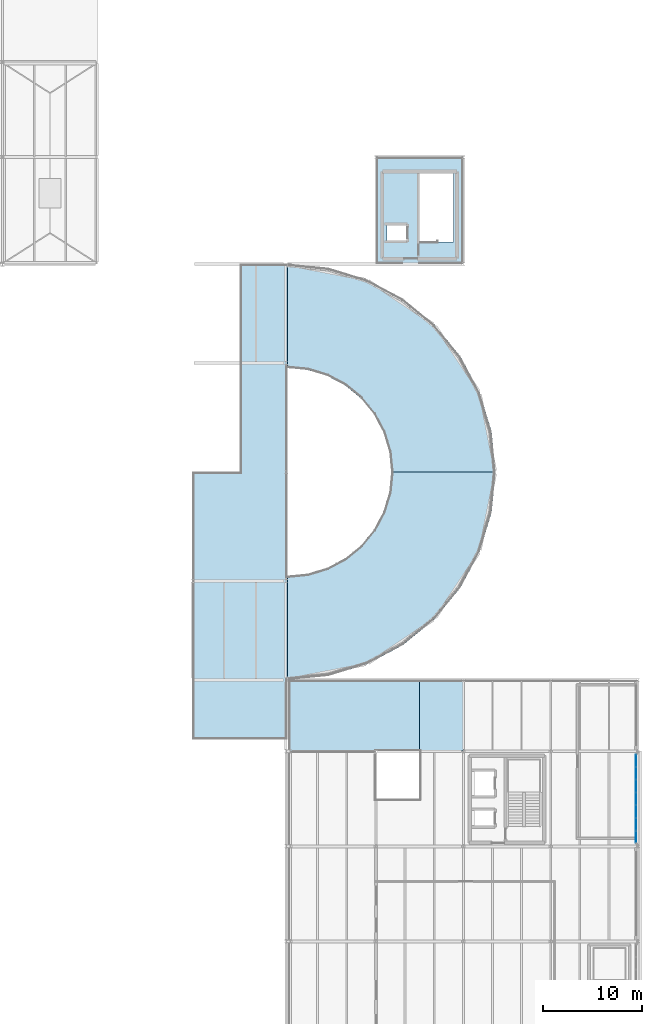
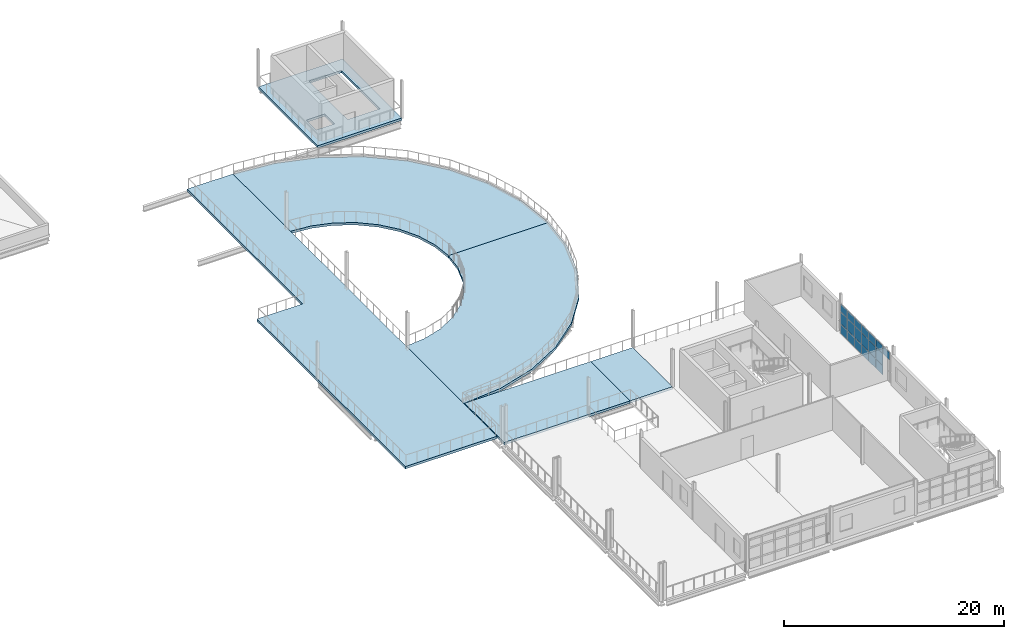
# One storey, part 39 of 58: 19 plates, 6 slabs, 1 element without a shape of its own.
"""IFC4 building model written with IfcOpenShell, lengths in metres."""

from ifc_helpers import new_model, si_unit, direction, frame, origin, origin_2d, place, context, subcontext, project, spatial, polyline, rectangle, outline, extrude, material, layer, layer_set, type_object, element, aggregate, save


model = new_model("IFC4")

# Units and contexts
model_context = context("Model", 3, precision=1e-05, world=origin(), true_north=direction((0.0, 1.0)))
body_context = subcontext(model_context, "Body", "Model", "MODEL_VIEW")
ifc_project = project(units=[si_unit("LENGTHUNIT", "METRE"), si_unit("AREAUNIT", "SQUARE_METRE"), si_unit("VOLUMEUNIT", "CUBIC_METRE"), si_unit("PLANEANGLEUNIT", "RADIAN"), si_unit("MASSUNIT", "GRAM", prefix="KILO")], contexts=[model_context])

# Site, building, storey
site_placement = place(None, origin())
site = spatial("IfcSite", under=ifc_project, at=site_placement, CompositionType="ELEMENT")
building_placement = place(site_placement, origin())
building = spatial("IfcBuilding", under=site, at=building_placement, Name="Yeouljin Market Hall", CompositionType="ELEMENT")
storey_placement = place(building_placement, frame((0.0, 0.0, 10.800048828125)))
storey = spatial("IfcBuildingStorey", under=building, at=storey_placement, Name="L02", CompositionType="ELEMENT", Elevation=10.800048828125)

# Curtain wall, plates
ifc_material_1 = material(Name="Thermally Broken Aluminium", Category="aluminium")
ifc_layer_1 = layer(ifc_material_1, 0.14990234375)
ifc_layer_set_1 = layer_set([ifc_layer_1], Name="Thermally Broken Aluminium")
curtain_wall_type = type_object("IfcCurtainWallType", Name="CW_AcademyRibbon_System", PredefinedType="USERDEFINED", material=ifc_layer_set_1)
curtain_wall_placement = place(storey_placement, origin())
curtain_wall = element("IfcCurtainWall", 1, at=curtain_wall_placement, inside=storey, type_object=curtain_wall_type, Name="Curtain wall CW-L02-W12", ObjectType="CURTAIN WALL", PredefinedType="USERDEFINED")
ifc_material_2 = material(Name="Anodised Bronze Spandrel Panel")
ifc_layer_2 = layer(ifc_material_2, 0.0439453125)
ifc_layer_set_2 = layer_set([ifc_layer_2], Name="Anodised Bronze Spandrel Panel")
plate_type = type_object("IfcPlateType", Name="CWPanel_BronzeSpandrel_44", PredefinedType="CURTAIN_PANEL", material=ifc_layer_set_2)
plate_1_placement = place(storey_placement, frame((176.199951171875, 27.84521484375, 0.0478515625), z_axis=(0.0, 0.0, 1.0), x_axis=(0.0, -1.0, 0.0)))
plate_1 = element("IfcPlate", 2, at=plate_1_placement, type_object=plate_type, Name="CW-05 panel 1.1", PredefinedType="CURTAIN_PANEL", context=body_context, shape_type="SweptSolid", body=[
    extrude(rectangle(XDim=1.213623046875, YDim=0.0439453125, at=origin_2d()), origin(), (0.0, 0.0, 1.0), 1.028076171875),
])
plate_2_placement = place(storey_placement, frame((176.199951171875, 27.84521484375, 1.1240234375), z_axis=(0.0, 0.0, 1.0), x_axis=(0.0, -1.0, 0.0)))
plate_2 = element("IfcPlate", 3, at=plate_2_placement, type_object=plate_type, Name="CW-05 panel 1.2", PredefinedType="CURTAIN_PANEL", context=body_context, shape_type="SweptSolid", body=[
    extrude(rectangle(XDim=1.213623046875, YDim=0.0439453125, at=origin_2d()), origin(), (0.0, 0.0, 1.0), 1.302001953125),
])
plate_3_placement = place(storey_placement, frame((176.199951171875, 27.84521484375, 2.47412109375), z_axis=(0.0, 0.0, 1.0), x_axis=(0.0, -1.0, 0.0)))
plate_3 = element("IfcPlate", 4, at=plate_3_placement, type_object=plate_type, Name="CW-05 panel 1.3", PredefinedType="CURTAIN_PANEL", context=body_context, shape_type="SweptSolid", body=[
    extrude(rectangle(XDim=1.213623046875, YDim=0.0439453125, at=origin_2d()), origin(), (0.0, 0.0, 1.0), 0.827880859375),
])
plate_4_placement = place(storey_placement, frame((176.199951171875, 26.571533203125, 0.0478515625), z_axis=(0.0, 0.0, 1.0), x_axis=(0.0, -1.0, 0.0)))
plate_4 = element("IfcPlate", 5, at=plate_4_placement, type_object=plate_type, Name="CW-05 panel 2.1", PredefinedType="CURTAIN_PANEL", context=body_context, shape_type="SweptSolid", body=[
    extrude(rectangle(XDim=1.23779296875, YDim=0.0439453125, at=origin_2d()), origin(), (0.0, 0.0, 1.0), 1.028076171875),
])
plate_5_placement = place(storey_placement, frame((176.199951171875, 26.571533203125, 1.1240234375), z_axis=(0.0, 0.0, 1.0), x_axis=(0.0, -1.0, 0.0)))
plate_5 = element("IfcPlate", 6, at=plate_5_placement, type_object=plate_type, Name="CW-05 panel 2.2", PredefinedType="CURTAIN_PANEL", context=body_context, shape_type="SweptSolid", body=[
    extrude(rectangle(XDim=1.23779296875, YDim=0.0439453125, at=origin_2d()), origin(), (0.0, 0.0, 1.0), 1.302001953125),
])
plate_6_placement = place(storey_placement, frame((176.199951171875, 26.571533203125, 2.47412109375), z_axis=(0.0, 0.0, 1.0), x_axis=(0.0, -1.0, 0.0)))
plate_6 = element("IfcPlate", 7, at=plate_6_placement, type_object=plate_type, Name="CW-05 panel 2.3", PredefinedType="CURTAIN_PANEL", context=body_context, shape_type="SweptSolid", body=[
    extrude(rectangle(XDim=1.23779296875, YDim=0.0439453125, at=origin_2d()), origin(), (0.0, 0.0, 1.0), 0.827880859375),
])
plate_7_placement = place(storey_placement, frame((176.199951171875, 25.28564453125, 0.0478515625), z_axis=(0.0, 0.0, 1.0), x_axis=(0.0, -1.0, 0.0)))
plate_7 = element("IfcPlate", 8, at=plate_7_placement, type_object=plate_type, Name="CW-05 panel 3.1", PredefinedType="CURTAIN_PANEL", context=body_context, shape_type="SweptSolid", body=[
    extrude(rectangle(XDim=1.23779296875, YDim=0.0439453125, at=origin_2d()), origin(), (0.0, 0.0, 1.0), 1.028076171875),
])
plate_8_placement = place(storey_placement, frame((176.199951171875, 25.28564453125, 1.1240234375), z_axis=(0.0, 0.0, 1.0), x_axis=(0.0, -1.0, 0.0)))
plate_8 = element("IfcPlate", 9, at=plate_8_placement, type_object=plate_type, Name="CW-05 panel 3.2", PredefinedType="CURTAIN_PANEL", context=body_context, shape_type="SweptSolid", body=[
    extrude(rectangle(XDim=1.23779296875, YDim=0.0439453125, at=origin_2d()), origin(), (0.0, 0.0, 1.0), 1.302001953125),
])
plate_9_placement = place(storey_placement, frame((176.199951171875, 25.28564453125, 2.47412109375), z_axis=(0.0, 0.0, 1.0), x_axis=(0.0, -1.0, 0.0)))
plate_9 = element("IfcPlate", 10, at=plate_9_placement, type_object=plate_type, Name="CW-05 panel 3.3", PredefinedType="CURTAIN_PANEL", context=body_context, shape_type="SweptSolid", body=[
    extrude(rectangle(XDim=1.23779296875, YDim=0.0439453125, at=origin_2d()), origin(), (0.0, 0.0, 1.0), 0.827880859375),
])
plate_10_placement = place(storey_placement, frame((176.199951171875, 24.0, 0.0478515625), z_axis=(0.0, 0.0, 1.0), x_axis=(0.0, -1.0, 0.0)))
plate_10 = element("IfcPlate", 11, at=plate_10_placement, type_object=plate_type, Name="CW-05 panel 4.1", PredefinedType="CURTAIN_PANEL", context=body_context, shape_type="SweptSolid", body=[
    extrude(rectangle(XDim=1.23779296875, YDim=0.0439453125, at=origin_2d()), origin(), (0.0, 0.0, 1.0), 1.028076171875),
])
plate_11_placement = place(storey_placement, frame((176.199951171875, 24.0, 1.1240234375), z_axis=(0.0, 0.0, 1.0), x_axis=(0.0, -1.0, 0.0)))
plate_11 = element("IfcPlate", 12, at=plate_11_placement, type_object=plate_type, Name="CW-05 panel 4.2", PredefinedType="CURTAIN_PANEL", context=body_context, shape_type="SweptSolid", body=[
    extrude(rectangle(XDim=1.23779296875, YDim=0.0439453125, at=origin_2d()), origin(), (0.0, 0.0, 1.0), 1.302001953125),
])
plate_12_placement = place(storey_placement, frame((176.199951171875, 24.0, 2.47412109375), z_axis=(0.0, 0.0, 1.0), x_axis=(0.0, -1.0, 0.0)))
plate_12 = element("IfcPlate", 13, at=plate_12_placement, type_object=plate_type, Name="CW-05 panel 4.3", PredefinedType="CURTAIN_PANEL", context=body_context, shape_type="SweptSolid", body=[
    extrude(rectangle(XDim=1.23779296875, YDim=0.0439453125, at=origin_2d()), origin(), (0.0, 0.0, 1.0), 0.827880859375),
])
plate_13_placement = place(storey_placement, frame((176.199951171875, 22.71435546875, 0.0478515625), z_axis=(0.0, 0.0, 1.0), x_axis=(0.0, -1.0, 0.0)))
plate_13 = element("IfcPlate", 14, at=plate_13_placement, type_object=plate_type, Name="CW-05 panel 5.1", PredefinedType="CURTAIN_PANEL", context=body_context, shape_type="SweptSolid", body=[
    extrude(rectangle(XDim=1.23779296875, YDim=0.0439453125, at=origin_2d()), origin(), (0.0, 0.0, 1.0), 1.028076171875),
])
plate_14_placement = place(storey_placement, frame((176.199951171875, 22.71435546875, 1.1240234375), z_axis=(0.0, 0.0, 1.0), x_axis=(0.0, -1.0, 0.0)))
plate_14 = element("IfcPlate", 15, at=plate_14_placement, type_object=plate_type, Name="CW-05 panel 5.2", PredefinedType="CURTAIN_PANEL", context=body_context, shape_type="SweptSolid", body=[
    extrude(rectangle(XDim=1.23779296875, YDim=0.0439453125, at=origin_2d()), origin(), (0.0, 0.0, 1.0), 1.302001953125),
])
plate_15_placement = place(storey_placement, frame((176.199951171875, 22.71435546875, 2.47412109375), z_axis=(0.0, 0.0, 1.0), x_axis=(0.0, -1.0, 0.0)))
plate_15 = element("IfcPlate", 16, at=plate_15_placement, type_object=plate_type, Name="CW-05 panel 5.3", PredefinedType="CURTAIN_PANEL", context=body_context, shape_type="SweptSolid", body=[
    extrude(rectangle(XDim=1.23779296875, YDim=0.0439453125, at=origin_2d()), origin(), (0.0, 0.0, 1.0), 0.827880859375),
])
plate_16_placement = place(storey_placement, frame((176.199951171875, 21.428466796875, 0.0478515625), z_axis=(0.0, 0.0, 1.0), x_axis=(0.0, -1.0, 0.0)))
plate_16 = element("IfcPlate", 17, at=plate_16_placement, type_object=plate_type, Name="CW-05 panel 6.1", PredefinedType="CURTAIN_PANEL", context=body_context, shape_type="SweptSolid", body=[
    extrude(rectangle(XDim=1.23779296875, YDim=0.0439453125, at=origin_2d()), origin(), (0.0, 0.0, 1.0), 1.028076171875),
])
plate_17_placement = place(storey_placement, frame((176.199951171875, 21.428466796875, 1.1240234375), z_axis=(0.0, 0.0, 1.0), x_axis=(0.0, -1.0, 0.0)))
plate_17 = element("IfcPlate", 18, at=plate_17_placement, type_object=plate_type, Name="CW-05 panel 6.2", PredefinedType="CURTAIN_PANEL", context=body_context, shape_type="SweptSolid", body=[
    extrude(rectangle(XDim=1.23779296875, YDim=0.0439453125, at=origin_2d()), origin(), (0.0, 0.0, 1.0), 1.302001953125),
])
plate_18_placement = place(storey_placement, frame((176.199951171875, 21.428466796875, 2.47412109375), z_axis=(0.0, 0.0, 1.0), x_axis=(0.0, -1.0, 0.0)))
plate_18 = element("IfcPlate", 19, at=plate_18_placement, type_object=plate_type, Name="CW-05 panel 6.3", PredefinedType="CURTAIN_PANEL", context=body_context, shape_type="SweptSolid", body=[
    extrude(rectangle(XDim=1.23779296875, YDim=0.0439453125, at=origin_2d()), origin(), (0.0, 0.0, 1.0), 0.827880859375),
])
plate_19_placement = place(storey_placement, frame((176.199951171875, 20.15478515625, 2.47412109375), z_axis=(0.0, 0.0, 1.0), x_axis=(0.0, -1.0, 0.0)))
plate_19 = element("IfcPlate", 20, at=plate_19_placement, type_object=plate_type, Name="CW-05 panel 7.3", PredefinedType="CURTAIN_PANEL", context=body_context, shape_type="SweptSolid", body=[
    extrude(rectangle(XDim=1.213623046875, YDim=0.0439453125, at=origin_2d()), origin(), (0.0, 0.0, 1.0), 0.827880859375),
])
aggregate(curtain_wall, [plate_1, plate_2, plate_3, plate_4, plate_5, plate_6, plate_7, plate_8, plate_9, plate_10, plate_11, plate_12, plate_13, plate_14, plate_15, plate_16, plate_17, plate_18, plate_19])

# Slabs
ifc_material_3 = material(Name="Concrete C30/37", Category="concrete")
ifc_layer_3 = layer(ifc_material_3, 0.27001953125)
ifc_layer_set_3 = layer_set([ifc_layer_3], Name="Concrete C30/37")
slab_type_1 = type_object("IfcSlabType", Name="SLB_MEZZ_240", PredefinedType="FLOOR", material=ifc_layer_set_3)
slab_1_placement = place(storey_placement, frame((0.0, 0.0, -0.27001953125)))
element("IfcSlab", 21, at=slab_1_placement, inside=storey, type_object=slab_type_1, Name="Structural slab SLB-L02-AES", PredefinedType="FLOOR", context=body_context, shape_type="SweptSolid", body=[
    extrude(outline(polyline([(141.0, 36.0), (145.096923828125, 36.403564453125), (149.036376953125, 37.598388671875), (152.6669921875, 39.5390625), (155.84912109375, 42.15087890625), (158.4609375, 45.3330078125), (160.401611328125, 48.963623046875), (161.596435546875, 52.903076171875), (162.0, 57.0), (151.5, 57.0), (151.298095703125, 54.95166015625), (150.70068359375, 52.981689453125), (149.73046875, 51.16650390625), (148.424560546875, 49.575439453125), (146.83349609375, 48.26953125), (145.018310546875, 47.29931640625), (143.04833984375, 46.701904296875), (141.0, 46.5), (141.0, 36.0)])), origin(), (0.0, 0.0, 1.0), 0.27001953125),
])
slab_2_placement = place(storey_placement, frame((0.0, 0.0, -0.27001953125)))
element("IfcSlab", 22, at=slab_2_placement, inside=storey, type_object=slab_type_1, Name="Structural slab SLB-L02-AEN", PredefinedType="FLOOR", context=body_context, shape_type="SweptSolid", body=[
    extrude(outline(polyline([(162.0, 57.0), (161.596435546875, 61.096923828125), (160.401611328125, 65.036376953125), (158.4609375, 68.6669921875), (155.84912109375, 71.84912109375), (152.6669921875, 74.4609375), (149.036376953125, 76.401611328125), (145.096923828125, 77.596435546875), (141.0, 78.0), (141.0, 67.5), (143.04833984375, 67.298095703125), (145.018310546875, 66.70068359375), (146.83349609375, 65.73046875), (148.424560546875, 64.424560546875), (149.73046875, 62.83349609375), (150.70068359375, 61.018310546875), (151.298095703125, 59.04833984375), (151.5, 57.0), (162.0, 57.0)])), origin(), (0.0, 0.0, 1.0), 0.27001953125),
])
slab_3_placement = place(storey_placement, frame((0.0, 0.0, -0.27001953125)))
element("IfcSlab", 23, at=slab_3_placement, inside=storey, type_object=slab_type_1, Name="Structural slab SLB-L02-BE", PredefinedType="FLOOR", context=body_context, shape_type="SweptSolid", body=[
    extrude(outline(polyline([(131.39990234375, 30.0), (141.0, 30.0), (141.0, 78.0), (136.199951171875, 78.0), (136.199951171875, 57.0), (131.39990234375, 57.0), (131.39990234375, 30.0)])), origin(), (0.0, 0.0, 1.0), 0.27001953125),
])
ifc_material_4 = material(Name="Concrete C30/37", Category="concrete")
ifc_layer_4 = layer(ifc_material_4, 0.264892578125)
ifc_layer_set_4 = layer_set([ifc_layer_4], Name="Concrete C30/37")
slab_type_2 = type_object("IfcSlabType", Name="SLB_WING_220", PredefinedType="FLOOR", material=ifc_layer_set_4)
slab_4_placement = place(storey_placement, frame((0.0, 0.0, -0.26513671875)))
element("IfcSlab", 24, at=slab_4_placement, inside=storey, type_object=slab_type_2, Name="Structural slab SLB-L02-ES1B", PredefinedType="FLOOR", context=body_context, shape_type="SweptSolid", body=[
    extrude(outline(polyline([(154.300048828125, 28.800048828125), (158.739990234375, 28.800048828125), (158.739990234375, 36.0), (154.300048828125, 36.0), (154.300048828125, 28.800048828125)])), origin(), (0.0, 0.0, 1.0), 0.26513671875),
])
slab_5_placement = place(storey_placement, frame((0.0, 0.0, -0.26513671875)))
element("IfcSlab", 25, at=slab_5_placement, inside=storey, type_object=slab_type_2, Name="Structural slab SLB-L02-EN", PredefinedType="FLOOR", context=body_context, shape_type="SweptSolid", body=[
    extrude(outline(polyline([(149.909912109375, 78.0), (158.739990234375, 78.0), (158.739990234375, 88.800048828125), (149.909912109375, 88.800048828125), (149.909912109375, 78.0)]), holes=[polyline([(154.340087890625, 80.25), (157.739990234375, 80.25), (157.739990234375, 87.27001953125), (154.340087890625, 87.27001953125), (154.340087890625, 80.25)]), polyline([(151.034912109375, 80.25), (152.985107421875, 80.25), (152.985107421875, 82.050048828125), (151.034912109375, 82.050048828125), (151.034912109375, 80.25)])]), origin(), (0.0, 0.0, 1.0), 0.26513671875),
])
slab_6_placement = place(storey_placement, frame((0.0, 0.0, -0.26513671875)))
element("IfcSlab", 26, at=slab_6_placement, inside=storey, type_object=slab_type_2, Name="Structural slab SLB-L02-LKE", PredefinedType="FLOOR", context=body_context, shape_type="SweptSolid", body=[
    extrude(outline(polyline([(141.080078125, 28.800048828125), (154.300048828125, 28.800048828125), (154.300048828125, 36.0), (141.080078125, 36.0), (141.080078125, 28.800048828125)])), origin(), (0.0, 0.0, 1.0), 0.26513671875),
])

save(model, "model.ifc")
